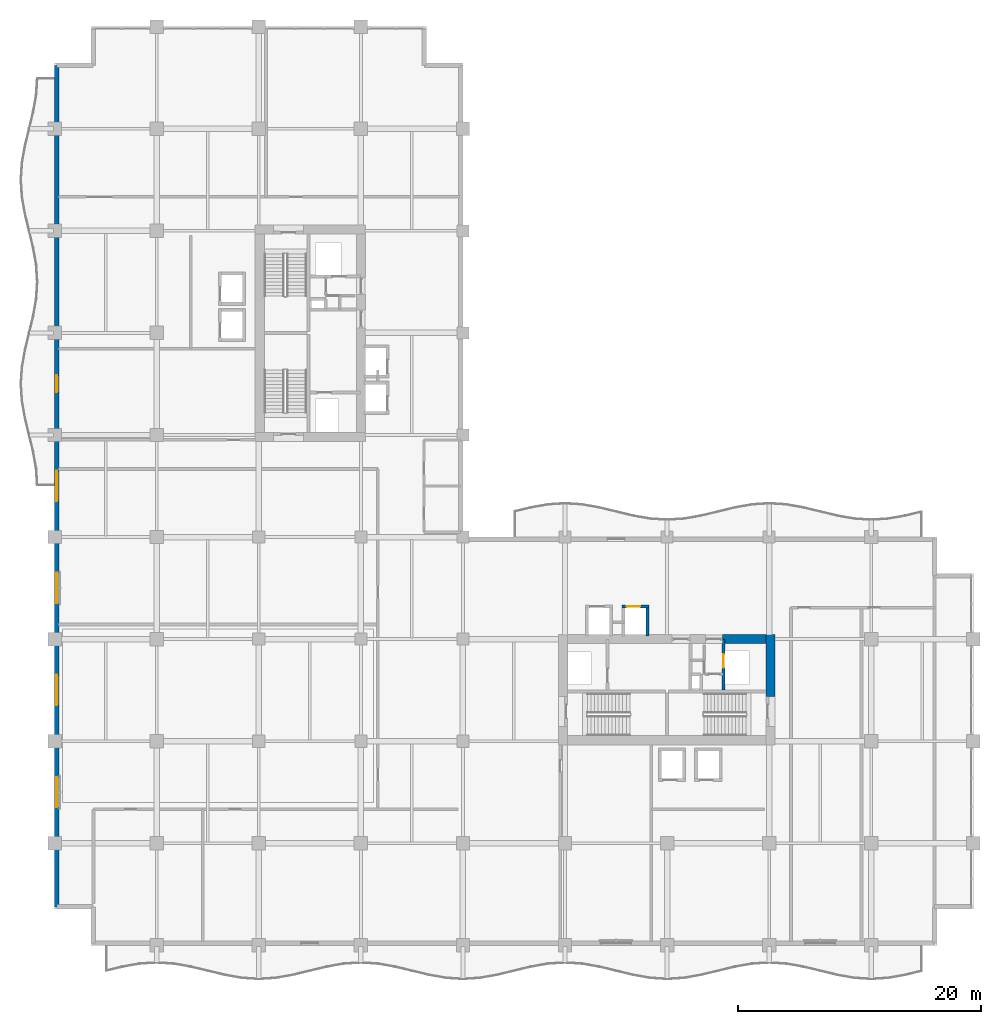
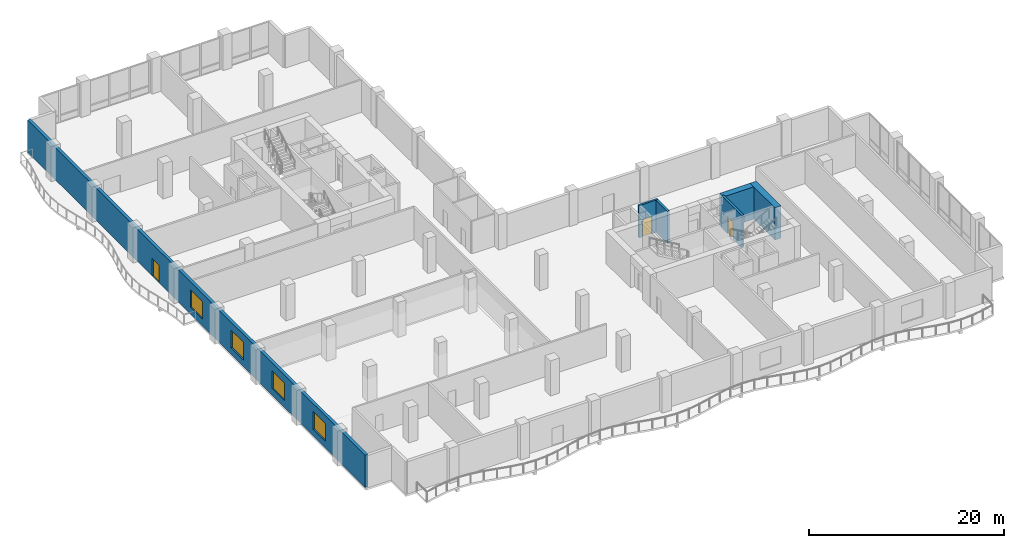
# One storey, part 15 of 25: 6 walls, 4 windows, 3 doors, 7 openings.
"""IFC4 building model written with IfcOpenShell, lengths in metres."""

from ifc_helpers import new_model, si_unit, direction, frame, frame_2d, origin, place, context, subcontext, project, spatial, rectangle, extrude, material, layer, layer_set, type_object, element, fill, save


model = new_model("IFC4")

# Units and contexts
model_context = context("Model", 3, precision=1e-05, world=origin(), true_north=direction((0.0, 1.0)))
body_context = subcontext(model_context, "Body", "Model", "MODEL_VIEW")
ifc_project = project(units=[si_unit("LENGTHUNIT", "METRE"), si_unit("AREAUNIT", "SQUARE_METRE"), si_unit("VOLUMEUNIT", "CUBIC_METRE"), si_unit("PLANEANGLEUNIT", "RADIAN"), si_unit("MASSUNIT", "GRAM", prefix="KILO")], contexts=[model_context])

# Site, building, storey
site_placement = place(None, origin())
site = spatial("IfcSite", under=ifc_project, at=site_placement, CompositionType="ELEMENT")
building_placement = place(site_placement, origin())
building = spatial("IfcBuilding", under=site, at=building_placement, Name="Koriwani Terraces Tower", CompositionType="ELEMENT")
storey_placement = place(building_placement, frame((0.0, 0.0, 157.60009765625)))
storey = spatial("IfcBuildingStorey", under=building, at=storey_placement, Name="L38", CompositionType="ELEMENT", Elevation=157.60009765625)

# Walls
ifc_material_1 = material(Name="Concrete C60/75", Category="concrete")
ifc_layer_1 = layer(ifc_material_1, 0.75, Name="Concrete C60/75")
ifc_layer_set_1 = layer_set([ifc_layer_1], Name="Concrete C60/75")
wall_type_1 = type_object("IfcWallType", Name="WALL_CORE_RC_750", PredefinedType="SHEAR", material=ifc_layer_set_1)
wall_1_placement = place(storey_placement, frame((58.925048828125, 20.5, 0.0), z_axis=(0.0, 0.0, 1.0), x_axis=(0.0, 1.0, 0.0)))
element("IfcWall", 1, at=wall_1_placement, inside=storey, type_object=wall_type_1, Name="L38 East Split Core Shear Wall E2", PredefinedType="SHEAR", context=body_context, shape_type="SweptSolid", body=[
    extrude(rectangle(XDim=5.074951171875, YDim=0.75, at=frame_2d((2.53759765625, 0.0))), origin(), (0.0, 0.0, 1.0), 4.0498046875),
])
wall_2_placement = place(storey_placement, frame((54.949951171875, 25.199951171875, 0.0), z_axis=(0.0, 0.0, 1.0), x_axis=(1.0, 0.0, 0.0)))
element("IfcWall", 2, at=wall_2_placement, inside=storey, type_object=wall_type_1, Name="L38 East Split Core Shear Wall N3", PredefinedType="SHEAR", context=body_context, shape_type="SweptSolid", body=[
    extrude(rectangle(XDim=3.60009765625, YDim=0.75, at=frame_2d((1.800048828125, 0.0))), origin(), (0.0, 0.0, 1.0), 4.0498046875),
])

# Wall, openings, door, windows
ifc_material_2 = material(Name="Concrete C50/60", Category="concrete")
ifc_layer_2 = layer(ifc_material_2, 0.35009765625, Name="Concrete C50/60")
ifc_layer_set_2 = layer_set([ifc_layer_2], Name="Concrete C50/60")
wall_type_2 = type_object("IfcWallType", Name="WALL_EXT_BRUTALIST_350", PredefinedType="STANDARD", material=ifc_layer_set_2)
wall_3_placement = place(storey_placement, frame((0.175048828125, 3.175048828125, 0.0), z_axis=(0.0, 0.0, 1.0), x_axis=(0.0, 1.0, 0.0)))
wall_3 = element("IfcWall", 3, at=wall_3_placement, inside=storey, type_object=wall_type_2, Name="L38 Fair-Faced Brutalist Exterior Wall (W)", PredefinedType="STANDARD", context=body_context, shape_type="SweptSolid", body=[
    extrude(rectangle(XDim=69.25, YDim=0.35009765625, at=frame_2d((34.625, 0.0))), origin(), (0.0, 0.0, 1.0), 4.0498046875),
])
opening_1_placement = place(wall_3_placement, frame((42.324951171875, 0.0, 0.0)))
opening_1 = element("IfcOpeningElement", 4, at=opening_1_placement, cuts=wall_3, Name="Opening D-09", PredefinedType="OPENING", context=body_context, shape_type="SweptSolid", body=[
    extrude(rectangle(XDim=1.39990234375, YDim=2.199951171875, at=frame_2d((0.699951171875, 1.10009765625))), frame((0.0, 0.18505859375, 0.0), z_axis=(0.0, -1.0, 0.0), x_axis=(1.0, 0.0, 0.0)), (0.0, 0.0, 1.0), 0.3701171875),
])
opening_2_placement = place(wall_3_placement, frame((8.175048828125, 0.0, 0.85009765625)))
opening_2 = element("IfcOpeningElement", 5, at=opening_2_placement, cuts=wall_3, Name="Opening W-07", PredefinedType="OPENING", context=body_context, shape_type="SweptSolid", body=[
    extrude(rectangle(XDim=2.5, YDim=2.199951171875, at=frame_2d((1.25, 1.10009765625))), frame((0.0, 0.18505859375, 0.0), z_axis=(0.0, -1.0, 0.0), x_axis=(1.0, 0.0, 0.0)), (0.0, 0.0, 1.0), 0.3701171875),
])
opening_3_placement = place(wall_3_placement, frame((16.574951171875, 0.0, 0.85009765625)))
opening_3 = element("IfcOpeningElement", 6, at=opening_3_placement, cuts=wall_3, Name="Opening W-07", PredefinedType="OPENING", context=body_context, shape_type="SweptSolid", body=[
    extrude(rectangle(XDim=2.5, YDim=2.199951171875, at=frame_2d((1.25, 1.10009765625))), frame((0.0, 0.18505859375, 0.0), z_axis=(0.0, -1.0, 0.0), x_axis=(1.0, 0.0, 0.0)), (0.0, 0.0, 1.0), 0.3701171875),
])
opening_4_placement = place(wall_3_placement, frame((24.97509765625, 0.0, 0.85009765625)))
opening_4 = element("IfcOpeningElement", 7, at=opening_4_placement, cuts=wall_3, Name="Opening W-07", PredefinedType="OPENING", context=body_context, shape_type="SweptSolid", body=[
    extrude(rectangle(XDim=2.5, YDim=2.199951171875, at=frame_2d((1.25, 1.10009765625))), frame((0.0, 0.18505859375, 0.0), z_axis=(0.0, -1.0, 0.0), x_axis=(1.0, 0.0, 0.0)), (0.0, 0.0, 1.0), 0.3701171875),
])
opening_5_placement = place(wall_3_placement, frame((33.375, 0.0, 0.85009765625)))
opening_5 = element("IfcOpeningElement", 8, at=opening_5_placement, cuts=wall_3, Name="Opening W-07", PredefinedType="OPENING", context=body_context, shape_type="SweptSolid", body=[
    extrude(rectangle(XDim=2.5, YDim=2.199951171875, at=frame_2d((1.25, 1.10009765625))), frame((0.0, 0.18505859375, 0.0), z_axis=(0.0, -1.0, 0.0), x_axis=(1.0, 0.0, 0.0)), (0.0, 0.0, 1.0), 0.3701171875),
])
ifc_material_3 = material(Name="Anodised Bronze Aluminium", Category="aluminium")
door_type_1 = type_object("IfcDoorType", Name="DOOR_BALCONY_GLAZED_1400X2200", OperationType="NOTDEFINED", PredefinedType="DOOR", material=ifc_material_3)
door_1_placement = place(opening_1_placement, origin())
door_1 = element("IfcDoor", 9, at=door_1_placement, inside=storey, type_object=door_type_1, Name="L38 West Balcony Glazed Door", OperationType="SINGLE_SWING_LEFT", OverallHeight=2.199951171875, OverallWidth=1.39990234375, PredefinedType="DOOR", context=body_context, shape_type="SweptSolid", body=[
    extrude(rectangle(XDim=1.39990234375, YDim=2.199951171875, at=frame_2d((0.699951171875, 1.10009765625))), frame((0.0, 0.02490234375, 0.0), z_axis=(0.0, -1.0, 0.0), x_axis=(1.0, 0.0, 0.0)), (0.0, 0.0, 1.0), 0.050048828125),
])
fill(opening_1, door_1)
ifc_material_4 = material(Name="Tempered Laminated Low-E Glass", Category="glass")
window_type = type_object("IfcWindowType", Name="WIN_SKY_LOUNGE_2500X2200", PartitioningType="SINGLE_PANEL", PredefinedType="WINDOW", material=ifc_material_4)
window_1_placement = place(opening_2_placement, origin())
window_1 = element("IfcWindow", 10, at=window_1_placement, inside=storey, type_object=window_type, Name="L38 Exterior Window (W-3)", OverallHeight=2.199951171875, OverallWidth=2.5, PartitioningType="SINGLE_PANEL", PredefinedType="WINDOW", context=body_context, shape_type="SweptSolid", body=[
    extrude(rectangle(XDim=2.5, YDim=2.199951171875, at=frame_2d((1.25, 1.10009765625))), frame((0.0, 0.030029296875, 0.0), z_axis=(0.0, -1.0, 0.0), x_axis=(1.0, 0.0, 0.0)), (0.0, 0.0, 1.0), 0.06005859375),
])
fill(opening_2, window_1)
window_2_placement = place(opening_3_placement, origin())
window_2 = element("IfcWindow", 11, at=window_2_placement, inside=storey, type_object=window_type, Name="L38 Exterior Window (W-6)", OverallHeight=2.199951171875, OverallWidth=2.5, PartitioningType="SINGLE_PANEL", PredefinedType="WINDOW", context=body_context, shape_type="SweptSolid", body=[
    extrude(rectangle(XDim=2.5, YDim=2.199951171875, at=frame_2d((1.25, 1.10009765625))), frame((0.0, 0.030029296875, 0.0), z_axis=(0.0, -1.0, 0.0), x_axis=(1.0, 0.0, 0.0)), (0.0, 0.0, 1.0), 0.06005859375),
])
fill(opening_3, window_2)
window_3_placement = place(opening_4_placement, origin())
window_3 = element("IfcWindow", 12, at=window_3_placement, inside=storey, type_object=window_type, Name="L38 Exterior Window (W-9)", OverallHeight=2.199951171875, OverallWidth=2.5, PartitioningType="SINGLE_PANEL", PredefinedType="WINDOW", context=body_context, shape_type="SweptSolid", body=[
    extrude(rectangle(XDim=2.5, YDim=2.199951171875, at=frame_2d((1.25, 1.10009765625))), frame((0.0, 0.030029296875, 0.0), z_axis=(0.0, -1.0, 0.0), x_axis=(1.0, 0.0, 0.0)), (0.0, 0.0, 1.0), 0.06005859375),
])
fill(opening_4, window_3)
window_4_placement = place(opening_5_placement, origin())
window_4 = element("IfcWindow", 13, at=window_4_placement, inside=storey, type_object=window_type, Name="L38 Exterior Window (W-12)", OverallHeight=2.199951171875, OverallWidth=2.5, PartitioningType="SINGLE_PANEL", PredefinedType="WINDOW", context=body_context, shape_type="SweptSolid", body=[
    extrude(rectangle(XDim=2.5, YDim=2.199951171875, at=frame_2d((1.25, 1.10009765625))), frame((0.0, 0.030029296875, 0.0), z_axis=(0.0, -1.0, 0.0), x_axis=(1.0, 0.0, 0.0)), (0.0, 0.0, 1.0), 0.06005859375),
])
fill(opening_5, window_4)

# Wall, opening, door
ifc_material_5 = material(Name="Concrete C40/50", Category="concrete")
ifc_layer_3 = layer(ifc_material_5, 0.25, Name="Concrete C40/50")
ifc_layer_set_3 = layer_set([ifc_layer_3], Name="Concrete C40/50")
wall_type_3 = type_object("IfcWallType", Name="WALL_SHAFT_RATED_250", PredefinedType="SOLIDWALL", material=ifc_layer_set_3)
wall_4_placement = place(storey_placement, frame((55.050048828125, 21.0, 0.0), z_axis=(0.0, 0.0, 1.0), x_axis=(0.0, 1.0, 0.0)))
wall_4 = element("IfcWall", 14, at=wall_4_placement, inside=storey, type_object=wall_type_3, Name="L38 Interior Wall WIN-CE-L38-SE", PredefinedType="SOLIDWALL", context=body_context, shape_type="SweptSolid", body=[
    extrude(rectangle(XDim=4.14990234375, YDim=0.25, at=frame_2d((2.074951171875, 0.0))), origin(), (0.0, 0.0, 1.0), 4.0498046875),
])
opening_6_placement = place(wall_4_placement, frame((1.85009765625, 0.0, 0.0)))
opening_6 = element("IfcOpeningElement", 15, at=opening_6_placement, cuts=wall_4, Name="Opening LD-01", PredefinedType="OPENING", context=body_context, shape_type="SweptSolid", body=[
    extrude(rectangle(XDim=1.10009765625, YDim=2.14990234375, at=frame_2d((0.550048828125, 1.074951171875))), frame((0.0, 0.135009765625, 0.0), z_axis=(0.0, -1.0, 0.0), x_axis=(1.0, 0.0, 0.0)), (0.0, 0.0, 1.0), 0.27001953125),
])
ifc_material_6 = material(Name="Steel ASTM A572 Grade 50", Category="steel")
door_type_2 = type_object("IfcDoorType", Name="DOOR_LIFT_LANDING_1100X2200", OperationType="NOTDEFINED", PredefinedType="DOOR", material=ifc_material_6)
door_2_placement = place(opening_6_placement, origin())
door_2 = element("IfcDoor", 16, at=door_2_placement, inside=storey, type_object=door_type_2, Name="L38 Goods Lift SE-02 Landing Door", OperationType="SLIDING_TO_LEFT", OverallHeight=2.14990234375, OverallWidth=1.10009765625, PredefinedType="DOOR", context=body_context, shape_type="SweptSolid", body=[
    extrude(rectangle(XDim=1.10009765625, YDim=2.14990234375, at=frame_2d((0.550048828125, 1.074951171875))), frame((0.0, 0.02490234375, 0.0), z_axis=(0.0, -1.0, 0.0), x_axis=(1.0, 0.0, 0.0)), (0.0, 0.0, 1.0), 0.050048828125),
])
fill(opening_6, door_2)

wall_5_placement = place(storey_placement, frame((46.675048828125, 27.89990234375, 0.0), z_axis=(0.0, 0.0, 1.0), x_axis=(1.0, 0.0, 0.0)))
wall_5 = element("IfcWall", 17, at=wall_5_placement, inside=storey, type_object=wall_type_3, Name="L38 Interior Wall WIN-LF-PE-H4-L38-F", PredefinedType="SOLIDWALL", context=body_context, shape_type="SweptSolid", body=[
    extrude(rectangle(XDim=2.25, YDim=0.25, at=frame_2d((1.125, 0.0))), origin(), (0.0, 0.0, 1.0), 4.0498046875),
])
opening_7_placement = place(wall_5_placement, frame((0.39990234375, 0.0, 0.0)))
opening_7 = element("IfcOpeningElement", 18, at=opening_7_placement, cuts=wall_5, Name="Opening LD-01", PredefinedType="OPENING", context=body_context, shape_type="SweptSolid", body=[
    extrude(rectangle(XDim=1.10009765625, YDim=2.14990234375, at=frame_2d((0.550048828125, 1.074951171875))), frame((0.0, 0.135009765625, 0.0), z_axis=(0.0, -1.0, 0.0), x_axis=(1.0, 0.0, 0.0)), (0.0, 0.0, 1.0), 0.27001953125),
])
door_3_placement = place(opening_7_placement, origin())
door_3 = element("IfcDoor", 19, at=door_3_placement, inside=storey, type_object=door_type_2, Name="L38 Passenger Lift PE-H4 Landing Door", OperationType="SLIDING_TO_LEFT", OverallHeight=2.14990234375, OverallWidth=1.10009765625, PredefinedType="DOOR", context=body_context, shape_type="SweptSolid", body=[
    extrude(rectangle(XDim=1.10009765625, YDim=2.14990234375, at=frame_2d((0.550048828125, 1.074951171875))), frame((0.0, 0.02490234375, 0.0), z_axis=(0.0, -1.0, 0.0), x_axis=(1.0, 0.0, 0.0)), (0.0, 0.0, 1.0), 0.050048828125),
])
fill(opening_7, door_3)

# Wall
wall_6_placement = place(storey_placement, frame((48.800048828125, 25.449951171875, 0.0), z_axis=(0.0, 0.0, 1.0), x_axis=(0.0, 1.0, 0.0)))
element("IfcWall", 20, at=wall_6_placement, inside=storey, type_object=wall_type_3, Name="L38 Interior Wall WIN-LF-PE-H4-L38-E", PredefinedType="SOLIDWALL", context=body_context, shape_type="SweptSolid", body=[
    extrude(rectangle(XDim=2.324951171875, YDim=0.25, at=frame_2d((1.16259765625, 0.0))), origin(), (0.0, 0.0, 1.0), 4.0498046875),
])

save(model, "model.ifc")
